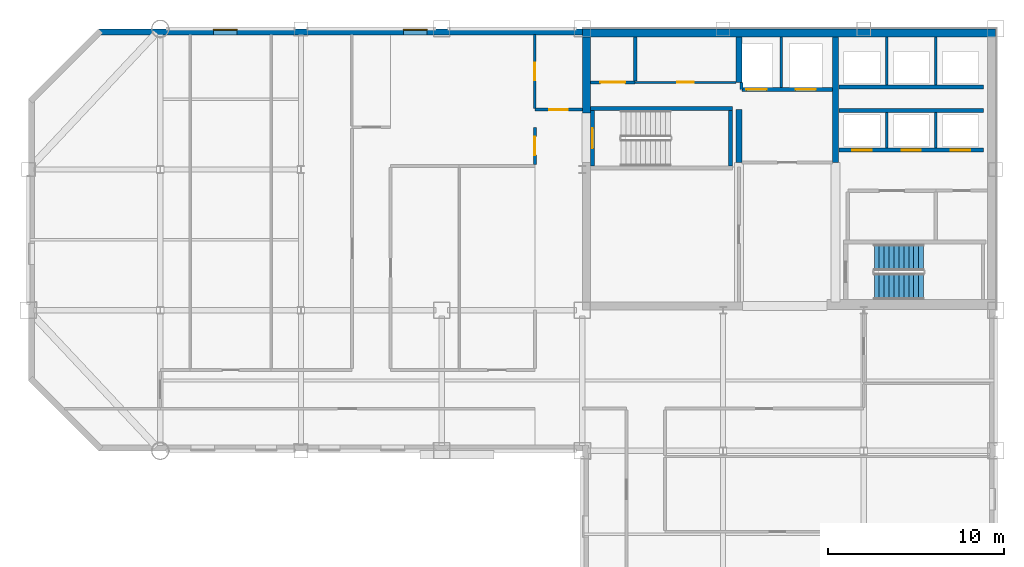
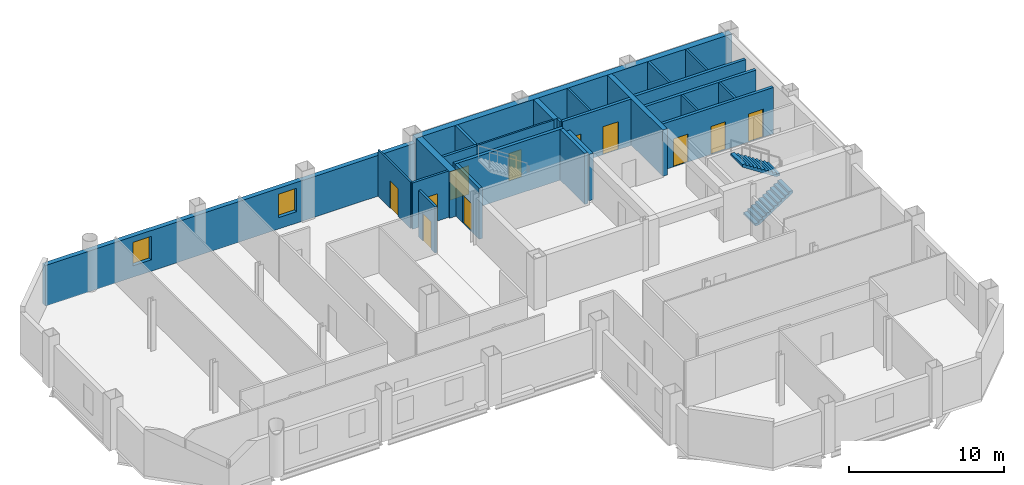
# One storey, part 6 of 11: 25 walls, 11 doors, 2 stair flights, 2 windows, 13 openings, 1 element without a shape of its own.
"""IFC4 building model written with IfcOpenShell, lengths in metres."""

from ifc_helpers import new_model, si_unit, direction, frame, frame_2d, origin, place, context, subcontext, project, spatial, polyline, rectangle, outline, extrude, material, layer, layer_set, type_object, element, fill, aggregate, save


model = new_model("IFC4")

# Units and contexts
model_context = context("Model", 3, precision=1e-05, world=origin(), true_north=direction((0.0, 1.0)))
body_context = subcontext(model_context, "Body", "Model", "MODEL_VIEW")
ifc_project = project(units=[si_unit("LENGTHUNIT", "METRE"), si_unit("AREAUNIT", "SQUARE_METRE"), si_unit("VOLUMEUNIT", "CUBIC_METRE"), si_unit("PLANEANGLEUNIT", "RADIAN"), si_unit("MASSUNIT", "GRAM", prefix="KILO")], contexts=[model_context])

# Site, building, storey
site_placement = place(None, origin())
site = spatial("IfcSite", under=ifc_project, at=site_placement, CompositionType="ELEMENT")
building_placement = place(site_placement, origin())
building = spatial("IfcBuilding", under=site, at=building_placement, Name="Qianrong Seaharbour Tower", CompositionType="ELEMENT")
storey_placement = place(building_placement, frame((0.0, 0.0, 277.800048828125)))
storey = spatial("IfcBuildingStorey", under=building, at=storey_placement, Name="L67", CompositionType="ELEMENT", Elevation=277.800048828125)

# Walls
ifc_material_1 = material(Name="Concrete C60/75", Category="concrete")
ifc_layer_1 = layer(ifc_material_1, 0.4599609375)
ifc_layer_set_1 = layer_set([ifc_layer_1], Name="Concrete C60/75")
wall_type_1 = type_object("IfcWallType", Name="WALL-CORE-460", PredefinedType="SHEAR", material=ifc_layer_set_1)
wall_1_placement = place(storey_placement, frame((40.5, 51.77001953125, 0.0), z_axis=(0.0, 0.0, 1.0), x_axis=(1.0, 0.0, 0.0)))
element("IfcWall", 1, at=wall_1_placement, inside=storey, type_object=wall_type_1, Name="L67 North Core Shear Wall", PredefinedType="SHEAR", context=body_context, shape_type="SweptSolid", body=[
    extrude(rectangle(XDim=23.5, YDim=0.4599609375, at=frame_2d((11.75, 0.0))), origin(), (0.0, 0.0, 1.0), 3.64990234375),
])
wall_2_placement = place(storey_placement, frame((40.72998046875, 47.199951171875, 0.0), z_axis=(0.0, 0.0, 1.0), x_axis=(0.0, 1.0, 0.0)))
element("IfcWall", 2, at=wall_2_placement, inside=storey, type_object=wall_type_1, Name="L67 West Core Shear Wall North", PredefinedType="SHEAR", context=body_context, shape_type="SweptSolid", body=[
    extrude(rectangle(XDim=4.340087890625, YDim=0.4599609375, at=frame_2d((2.169921875, 0.0))), origin(), (0.0, 0.0, 1.0), 3.64990234375),
])
ifc_material_2 = material(Name="Concrete C50/60", Category="concrete")
ifc_layer_2 = layer(ifc_material_2, 0.35009765625)
ifc_layer_set_2 = layer_set([ifc_layer_2], Name="Concrete C50/60")
wall_type_2 = type_object("IfcWallType", Name="WALL-CORE-INT-350", PredefinedType="SHEAR", material=ifc_layer_set_2)
wall_3_placement = place(storey_placement, frame((49.39990234375, 44.39990234375, 0.0), z_axis=(0.0, 0.0, 1.0), x_axis=(0.0, 1.0, 0.0)))
element("IfcWall", 3, at=wall_3_placement, inside=storey, type_object=wall_type_2, Name="L67 Internal Core Shear Wall IW1N1", PredefinedType="SHEAR", context=body_context, shape_type="SweptSolid", body=[
    extrude(rectangle(XDim=3.0, YDim=0.35009765625, at=frame_2d((1.5, 0.0))), origin(), (0.0, 0.0, 1.0), 3.64990234375),
])
wall_4_placement = place(storey_placement, frame((49.39990234375, 48.949951171875, 0.0), z_axis=(0.0, 0.0, 1.0), x_axis=(0.0, 1.0, 0.0)))
element("IfcWall", 4, at=wall_4_placement, inside=storey, type_object=wall_type_2, Name="L67 Internal Core Shear Wall IW1N2", PredefinedType="SHEAR", context=body_context, shape_type="SweptSolid", body=[
    extrude(rectangle(XDim=2.590087890625, YDim=0.35009765625, at=frame_2d((1.294921875, 0.0))), origin(), (0.0, 0.0, 1.0), 3.64990234375),
])
wall_5_placement = place(storey_placement, frame((54.89990234375, 44.39990234375, 0.0), z_axis=(0.0, 0.0, 1.0), x_axis=(0.0, 1.0, 0.0)))
element("IfcWall", 5, at=wall_5_placement, inside=storey, type_object=wall_type_2, Name="L67 Internal Core Shear Wall IW2N", PredefinedType="SHEAR", context=body_context, shape_type="SweptSolid", body=[
    extrude(rectangle(XDim=7.14013671875, YDim=0.35009765625, at=frame_2d((3.570068359375, 0.0))), origin(), (0.0, 0.0, 1.0), 3.64990234375),
])

# Wall, opening, door
ifc_material_3 = material(Name="Fire-rated acoustic gypsum board partition")
ifc_layer_3 = layer(ifc_material_3, 0.1650390625)
ifc_layer_set_3 = layer_set([ifc_layer_3], Name="Fire-rated acoustic gypsum board partition")
wall_type_3 = type_object("IfcWallType", Name="WALL-CORR-PART-165", PredefinedType="PARTITIONING", material=ifc_layer_set_3)
wall_6_placement = place(storey_placement, frame((37.800048828125, 47.39990234375, 0.0), z_axis=(0.0, 0.0, 1.0), x_axis=(1.0, 0.0, 0.0)))
wall_6 = element("IfcWall", 6, at=wall_6_placement, inside=storey, type_object=wall_type_3, Name="L67 Interior Partition Wall 001", PredefinedType="PARTITIONING", context=body_context, shape_type="SweptSolid", body=[
    extrude(rectangle(XDim=2.699951171875, YDim=0.1650390625, at=frame_2d((1.35009765625, 0.0))), origin(), (0.0, 0.0, 1.0), 3.64990234375),
])
opening_1_placement = place(wall_6_placement, frame((0.824951171875, 0.0, 0.0)))
opening_1 = element("IfcOpeningElement", 7, at=opening_1_placement, cuts=wall_6, Name="Opening DC-01", PredefinedType="OPENING", context=body_context, shape_type="SweptSolid", body=[
    extrude(rectangle(XDim=1.050048828125, YDim=2.14990234375, at=frame_2d((0.52490234375, 1.074951171875))), frame((0.0, 0.092529296875, 0.0), z_axis=(0.0, -1.0, 0.0), x_axis=(1.0, 0.0, 0.0)), (0.0, 0.0, 1.0), 0.18505859375),
])
ifc_material_4 = material(Name="Acoustic timber and galvanized steel fire door assembly", Category="steel")
door_type_1 = type_object("IfcDoorType", Name="DOOR-CORR-FD60-1050x2150", OperationType="NOTDEFINED", PredefinedType="DOOR", material=ifc_material_4)
door_1_placement = place(opening_1_placement, origin())
door_1 = element("IfcDoor", 8, at=door_1_placement, inside=storey, type_object=door_type_1, Name="L67 Smokeproof Stair Vestibule ST-1 Door", OperationType="SINGLE_SWING_LEFT", OverallHeight=2.14990234375, OverallWidth=1.050048828125, PredefinedType="DOOR", context=body_context, shape_type="SweptSolid", body=[
    extrude(rectangle(XDim=1.050048828125, YDim=2.14990234375, at=frame_2d((0.52490234375, 1.074951171875))), frame((0.0, 0.02490234375, 0.0), z_axis=(0.0, -1.0, 0.0), x_axis=(1.0, 0.0, 0.0)), (0.0, 0.0, 1.0), 0.050048828125),
])
fill(opening_1, door_1)

wall_7_placement = place(storey_placement, frame((37.800048828125, 44.2744140625, 0.0), z_axis=(0.0, 0.0, 1.0), x_axis=(0.0, 1.0, 0.0)))
wall_7 = element("IfcWall", 9, at=wall_7_placement, inside=storey, type_object=wall_type_3, Name="L67 Interior Partition Wall 002", PredefinedType="PARTITIONING", context=body_context, shape_type="SweptSolid", body=[
    extrude(rectangle(XDim=2.12548828125, YDim=0.1650390625, at=frame_2d((1.062744140625, 0.0))), origin(), (0.0, 0.0, 1.0), 3.64990234375),
])
opening_2_placement = place(wall_7_placement, frame((0.537841796875, 0.0, 0.0)))
opening_2 = element("IfcOpeningElement", 10, at=opening_2_placement, cuts=wall_7, Name="Opening DC-01", PredefinedType="OPENING", context=body_context, shape_type="SweptSolid", body=[
    extrude(rectangle(XDim=1.050048828125, YDim=2.14990234375, at=frame_2d((0.52490234375, 1.074951171875))), frame((0.0, 0.092529296875, 0.0), z_axis=(0.0, -1.0, 0.0), x_axis=(1.0, 0.0, 0.0)), (0.0, 0.0, 1.0), 0.18505859375),
])
door_2_placement = place(opening_2_placement, origin())
door_2 = element("IfcDoor", 11, at=door_2_placement, inside=storey, type_object=door_type_1, Name="L67 Smokeproof Stair Vestibule ST-1 Door", OperationType="SINGLE_SWING_RIGHT", OverallHeight=2.14990234375, OverallWidth=1.050048828125, PredefinedType="DOOR", context=body_context, shape_type="SweptSolid", body=[
    extrude(rectangle(XDim=1.050048828125, YDim=2.14990234375, at=frame_2d((0.52490234375, 1.074951171875))), frame((0.0, 0.02490234375, 0.0), z_axis=(0.0, -1.0, 0.0), x_axis=(1.0, 0.0, 0.0)), (0.0, 0.0, 1.0), 0.050048828125),
])
fill(opening_2, door_2)

# Wall, openings, windows
ifc_material_5 = material(Name="Unitised buff brick on Precast concrete C45/55", Category="masonry")
ifc_layer_4 = layer(ifc_material_5, 0.340087890625)
ifc_layer_set_4 = layer_set([ifc_layer_4], Name="Unitised buff brick on Precast concrete C45/55")
wall_type_4 = type_object("IfcWallType", Name="WALL-EXT-BRICK-BUFF-340", PredefinedType="SOLIDWALL", material=ifc_layer_set_4)
wall_8_placement = place(storey_placement, frame((13.0, 51.830078125, 0.0), z_axis=(0.0, 0.0, 1.0), x_axis=(1.0, 0.0, 0.0)))
wall_8 = element("IfcWall", 12, at=wall_8_placement, inside=storey, type_object=wall_type_4, Name="L67 Exterior Masonry Facade Wall NORTH_WING", PredefinedType="SOLIDWALL", context=body_context, shape_type="SweptSolid", body=[
    extrude(rectangle(XDim=27.52001953125, YDim=0.340087890625, at=frame_2d((13.760009765625, 0.0))), origin(), (0.0, 0.0, 1.0), 3.199951171875),
])
opening_3_placement = place(wall_8_placement, frame((6.52490234375, 0.0, 0.89990234375)))
opening_3 = element("IfcOpeningElement", 13, at=opening_3_placement, cuts=wall_8, Name="Opening WN-02", PredefinedType="OPENING", context=body_context, shape_type="SweptSolid", body=[
    extrude(rectangle(XDim=1.35009765625, YDim=1.85009765625, at=frame_2d((0.675048828125, 0.925048828125))), frame((0.0, 0.18017578125, 0.0), z_axis=(0.0, -1.0, 0.0), x_axis=(1.0, 0.0, 0.0)), (0.0, 0.0, 1.0), 0.360107421875),
])
opening_4_placement = place(wall_8_placement, frame((17.324951171875, 0.0, 0.89990234375)))
opening_4 = element("IfcOpeningElement", 14, at=opening_4_placement, cuts=wall_8, Name="Opening WN-02", PredefinedType="OPENING", context=body_context, shape_type="SweptSolid", body=[
    extrude(rectangle(XDim=1.35009765625, YDim=1.85009765625, at=frame_2d((0.675048828125, 0.925048828125))), frame((0.0, 0.18017578125, 0.0), z_axis=(0.0, -1.0, 0.0), x_axis=(1.0, 0.0, 0.0)), (0.0, 0.0, 1.0), 0.360107421875),
])
ifc_material_6 = material(Name="Insulated low-e double glazing in thermally broken aluminium 6063-T6 frame", Category="aluminium")
window_type = type_object("IfcWindowType", Name="WIN-PUNCH-1350x1850", PartitioningType="DOUBLE_PANEL_VERTICAL", PredefinedType="WINDOW", material=ifc_material_6)
window_1_placement = place(opening_3_placement, origin())
window_1 = element("IfcWindow", 15, at=window_1_placement, inside=storey, type_object=window_type, Name="L67 Deep-Set Punched Window 05.02", OverallHeight=1.85009765625, OverallWidth=1.35009765625, PartitioningType="DOUBLE_PANEL_VERTICAL", PredefinedType="WINDOW", context=body_context, shape_type="SweptSolid", body=[
    extrude(rectangle(XDim=1.35009765625, YDim=1.85009765625, at=frame_2d((0.675048828125, 0.925048828125))), frame((0.0, 0.150146484375, 0.0), z_axis=(0.0, -1.0, 0.0), x_axis=(1.0, 0.0, 0.0)), (0.0, 0.0, 1.0), 0.06005859375),
])
fill(opening_3, window_1)
window_2_placement = place(opening_4_placement, origin())
window_2 = element("IfcWindow", 16, at=window_2_placement, inside=storey, type_object=window_type, Name="L67 Deep-Set Punched Window 05.05", OverallHeight=1.85009765625, OverallWidth=1.35009765625, PartitioningType="DOUBLE_PANEL_VERTICAL", PredefinedType="WINDOW", context=body_context, shape_type="SweptSolid", body=[
    extrude(rectangle(XDim=1.35009765625, YDim=1.85009765625, at=frame_2d((0.675048828125, 0.925048828125))), frame((0.0, 0.150146484375, 0.0), z_axis=(0.0, -1.0, 0.0), x_axis=(1.0, 0.0, 0.0)), (0.0, 0.0, 1.0), 0.06005859375),
])
fill(opening_4, window_2)

# Wall, opening, door
ifc_material_7 = material(Name="Double fire-rated gypsum board acoustic partition")
ifc_layer_5 = layer(ifc_material_7, 0.18994140625)
ifc_layer_set_5 = layer_set([ifc_layer_5], Name="Double fire-rated gypsum board acoustic partition")
wall_type_5 = type_object("IfcWallType", Name="WALL-FIRE-PART-190", PredefinedType="PARTITIONING", material=ifc_layer_set_5)
wall_9_placement = place(storey_placement, frame((40.9599609375, 48.949951171875, 0.0), z_axis=(0.0, 0.0, 1.0), x_axis=(1.0, 0.0, 0.0)))
wall_9 = element("IfcWall", 17, at=wall_9_placement, inside=storey, type_object=wall_type_5, Name="L67 Interior Partition Wall 004", PredefinedType="PARTITIONING", context=body_context, shape_type="SweptSolid", body=[
    extrude(rectangle(XDim=2.5400390625, YDim=0.18994140625, at=frame_2d((1.27001953125, 0.0))), origin(), (0.0, 0.0, 1.0), 3.64990234375),
])
opening_5_placement = place(wall_9_placement, frame((0.570068359375, 0.0, 0.0)))
opening_5 = element("IfcOpeningElement", 18, at=opening_5_placement, cuts=wall_9, Name="Opening DP-01", PredefinedType="OPENING", context=body_context, shape_type="SweptSolid", body=[
    extrude(rectangle(XDim=1.39990234375, YDim=2.25, at=frame_2d((0.699951171875, 1.125))), frame((0.0, 0.10498046875, 0.0), z_axis=(0.0, -1.0, 0.0), x_axis=(1.0, 0.0, 0.0)), (0.0, 0.0, 1.0), 0.2099609375),
])
door_type_2 = type_object("IfcDoorType", Name="DOOR-PLANT-PAIR-1400x2250", OperationType="DOUBLE_DOOR_SINGLE_SWING", PredefinedType="DOOR", material=ifc_material_4)
door_3_placement = place(opening_5_placement, origin())
door_3 = element("IfcDoor", 19, at=door_3_placement, inside=storey, type_object=door_type_2, Name="L67 Core Electrical Closet Door", OperationType="DOUBLE_DOOR_SINGLE_SWING", OverallHeight=2.25, OverallWidth=1.39990234375, PredefinedType="DOOR", context=body_context, shape_type="SweptSolid", body=[
    extrude(rectangle(XDim=1.39990234375, YDim=2.25, at=frame_2d((0.699951171875, 1.125))), frame((0.0, 0.02490234375, 0.0), z_axis=(0.0, -1.0, 0.0), x_axis=(1.0, 0.0, 0.0)), (0.0, 0.0, 1.0), 0.050048828125),
])
fill(opening_5, door_3)

# Walls
wall_10_placement = place(storey_placement, frame((43.5, 51.5400390625, 0.0), z_axis=(0.0, 0.0, 1.0), x_axis=(0.0, -1.0, 0.0)))
element("IfcWall", 20, at=wall_10_placement, inside=storey, type_object=wall_type_5, Name="L67 Interior Partition Wall 011", PredefinedType="PARTITIONING", context=body_context, shape_type="SweptSolid", body=[
    extrude(rectangle(XDim=2.5029296875, YDim=0.18994140625, at=frame_2d((1.25146484375, 0.0))), origin(), (0.0, 0.0, 1.0), 3.64990234375),
])
ifc_material_8 = material(Name="Fire-rated gypsum board on steel studs", Category="steel")
ifc_layer_6 = layer(ifc_material_8, 0.14990234375)
ifc_layer_set_6 = layer_set([ifc_layer_6], Name="Fire-rated gypsum board on steel studs")
wall_type_6 = type_object("IfcWallType", Name="WALL-SHAFT-DIV-150", PredefinedType="PARTITIONING", material=ifc_layer_set_6)
wall_11_placement = place(storey_placement, frame((51.800048828125, 48.669921875, 0.0), z_axis=(0.0, 0.0, 1.0), x_axis=(0.0, 1.0, 0.0)))
element("IfcWall", 21, at=wall_11_placement, inside=storey, type_object=wall_type_6, Name="L67 Firefighting Lift Shaft Divider Wall", PredefinedType="PARTITIONING", context=body_context, shape_type="SweptSolid", body=[
    extrude(rectangle(XDim=2.8701171875, YDim=0.14990234375, at=frame_2d((1.43505859375, 0.0))), origin(), (0.0, 0.0, 1.0), 3.64990234375),
])
wall_12_placement = place(storey_placement, frame((49.550048828125, 48.550048828125, 0.0), z_axis=(0.0, 0.0, 1.0), x_axis=(0.0, 1.0, 0.0)))
element("IfcWall", 22, at=wall_12_placement, inside=storey, type_object=wall_type_6, Name="L67 Firefighting Lift Shaft West Return Wall", PredefinedType="PARTITIONING", context=body_context, shape_type="SweptSolid", body=[
    extrude(rectangle(XDim=0.39990234375, YDim=0.14990234375, at=frame_2d((0.199951171875, 0.0))), origin(), (0.0, 0.0, 1.0), 3.64990234375),
])
for number, where, z_axis, x_axis, name in (
    (23, (57.800048828125, 45.2099609375, 0.0), (0.0, 0.0, 1.0), (0.0, 1.0, 0.0), "L67 P3 Lift Hoistway Divider 2"),
    (24, (60.60009765625, 45.2099609375, 0.0), (0.0, 0.0, 1.0), (0.0, 1.0, 0.0), "L67 P3 Lift Hoistway Divider 3"),
):
    element("IfcWall", number, at=place(storey_placement, frame(where, z_axis=z_axis, x_axis=x_axis)), inside=storey, type_object=wall_type_6, Name=name, PredefinedType="PARTITIONING", context=body_context, shape_type="SweptSolid", body=[
        extrude(rectangle(XDim=2.030029296875, YDim=0.14990234375, at=frame_2d((1.01513671875, 0.0))), origin(), (0.0, 0.0, 1.0), 3.64990234375),
    ])
for number, where, z_axis, x_axis, name in (
    (25, (57.800048828125, 48.81005859375, 0.0), (0.0, 0.0, 1.0), (0.0, 1.0, 0.0), "L67 P4 Lift Hoistway Divider 2"),
    (26, (60.60009765625, 48.81005859375, 0.0), (0.0, 0.0, 1.0), (0.0, 1.0, 0.0), "L67 P4 Lift Hoistway Divider 3"),
):
    element("IfcWall", number, at=place(storey_placement, frame(where, z_axis=z_axis, x_axis=x_axis)), inside=storey, type_object=wall_type_6, Name=name, PredefinedType="PARTITIONING", context=body_context, shape_type="SweptSolid", body=[
        extrude(rectangle(XDim=2.72998046875, YDim=0.14990234375, at=frame_2d((1.364990234375, 0.0))), origin(), (0.0, 0.0, 1.0), 3.64990234375),
    ])

# Wall, openings, doors
ifc_layer_7 = layer(ifc_material_8, 0.219970703125)
ifc_layer_set_7 = layer_set([ifc_layer_7], Name="Fire-rated gypsum board on steel studs")
wall_type_7 = type_object("IfcWallType", Name="WALL-SHAFT-GYP220", PredefinedType="PARTITIONING", material=ifc_layer_set_7)
wall_13_placement = place(storey_placement, frame((54.7099609375, 48.550048828125, 0.0), z_axis=(0.0, 0.0, 1.0), x_axis=(-1.0, 0.0, 0.0)))
wall_13 = element("IfcWall", 27, at=wall_13_placement, inside=storey, type_object=wall_type_7, Name="L67 Firefighting Lift Shaft Front Wall", PredefinedType="PARTITIONING", context=body_context, shape_type="SweptSolid", body=[
    extrude(rectangle(XDim=5.119873046875, YDim=0.219970703125, at=frame_2d((2.56005859375, 0.0))), origin(), (0.0, 0.0, 1.0), 3.64990234375),
])
opening_6_placement = place(wall_13_placement, frame((3.735107421875, 0.0, 0.0)))
opening_6 = element("IfcOpeningElement", 28, at=opening_6_placement, cuts=wall_13, Name="Opening LD-01", PredefinedType="OPENING", context=body_context, shape_type="SweptSolid", body=[
    extrude(rectangle(XDim=1.14990234375, YDim=2.199951171875, at=frame_2d((0.574951171875, 1.10009765625))), frame((0.0, 0.1201171875, 0.0), z_axis=(0.0, -1.0, 0.0), x_axis=(1.0, 0.0, 0.0)), (0.0, 0.0, 1.0), 0.239990234375),
])
opening_7_placement = place(wall_13_placement, frame((0.93505859375, 0.0, 0.0)))
opening_7 = element("IfcOpeningElement", 29, at=opening_7_placement, cuts=wall_13, Name="Opening LD-01", PredefinedType="OPENING", context=body_context, shape_type="SweptSolid", body=[
    extrude(rectangle(XDim=1.14990234375, YDim=2.199951171875, at=frame_2d((0.574951171875, 1.10009765625))), frame((0.0, 0.1201171875, 0.0), z_axis=(0.0, -1.0, 0.0), x_axis=(1.0, 0.0, 0.0)), (0.0, 0.0, 1.0), 0.239990234375),
])
ifc_material_9 = material(Name="Stainless steel SUS316L bi-parting lift landing door", Category="steel")
door_type_3 = type_object("IfcDoorType", Name="DOOR-LIFT-FF-1150x2200", OperationType="DOUBLE_DOOR_SLIDING", PredefinedType="DOOR", material=ifc_material_9)
door_4_placement = place(opening_6_placement, origin())
door_4 = element("IfcDoor", 30, at=door_4_placement, inside=storey, type_object=door_type_3, Name="L67 FL-1 Firefighting Lift Landing Door", OperationType="DOUBLE_DOOR_SLIDING", OverallHeight=2.199951171875, OverallWidth=1.14990234375, PredefinedType="DOOR", context=body_context, shape_type="SweptSolid", body=[
    extrude(rectangle(XDim=1.14990234375, YDim=2.199951171875, at=frame_2d((0.574951171875, 1.10009765625))), frame((0.0, 0.02490234375, 0.0), z_axis=(0.0, -1.0, 0.0), x_axis=(1.0, 0.0, 0.0)), (0.0, 0.0, 1.0), 0.050048828125),
])
fill(opening_6, door_4)
door_5_placement = place(opening_7_placement, origin())
door_5 = element("IfcDoor", 31, at=door_5_placement, inside=storey, type_object=door_type_3, Name="L67 FL-2 Firefighting Lift Landing Door", OperationType="DOUBLE_DOOR_SLIDING", OverallHeight=2.199951171875, OverallWidth=1.14990234375, PredefinedType="DOOR", context=body_context, shape_type="SweptSolid", body=[
    extrude(rectangle(XDim=1.14990234375, YDim=2.199951171875, at=frame_2d((0.574951171875, 1.10009765625))), frame((0.0, 0.02490234375, 0.0), z_axis=(0.0, -1.0, 0.0), x_axis=(1.0, 0.0, 0.0)), (0.0, 0.0, 1.0), 0.050048828125),
])
fill(opening_7, door_5)

wall_14_placement = place(storey_placement, frame((63.320068359375, 45.10009765625, 0.0), z_axis=(0.0, 0.0, 1.0), x_axis=(-1.0, 0.0, 0.0)))
wall_14 = element("IfcWall", 32, at=wall_14_placement, inside=storey, type_object=wall_type_7, Name="L67 P3 Lift Hoistway Front Wall", PredefinedType="PARTITIONING", context=body_context, shape_type="SweptSolid", body=[
    extrude(rectangle(XDim=8.239990234375, YDim=0.219970703125, at=frame_2d((4.1201171875, 0.0))), origin(), (0.0, 0.0, 1.0), 3.64990234375),
])
opening_8_placement = place(wall_14_placement, frame((6.3701171875, 0.0, 0.0)))
opening_8 = element("IfcOpeningElement", 33, at=opening_8_placement, cuts=wall_14, Name="Opening LD-02", PredefinedType="OPENING", context=body_context, shape_type="SweptSolid", body=[
    extrude(rectangle(XDim=1.10009765625, YDim=2.199951171875, at=frame_2d((0.550048828125, 1.10009765625))), frame((0.0, 0.1201171875, 0.0), z_axis=(0.0, -1.0, 0.0), x_axis=(1.0, 0.0, 0.0)), (0.0, 0.0, 1.0), 0.239990234375),
])
opening_9_placement = place(wall_14_placement, frame((3.570068359375, 0.0, 0.0)))
opening_9 = element("IfcOpeningElement", 34, at=opening_9_placement, cuts=wall_14, Name="Opening LD-02", PredefinedType="OPENING", context=body_context, shape_type="SweptSolid", body=[
    extrude(rectangle(XDim=1.10009765625, YDim=2.199951171875, at=frame_2d((0.550048828125, 1.10009765625))), frame((0.0, 0.1201171875, 0.0), z_axis=(0.0, -1.0, 0.0), x_axis=(1.0, 0.0, 0.0)), (0.0, 0.0, 1.0), 0.239990234375),
])
opening_10_placement = place(wall_14_placement, frame((0.77001953125, 0.0, 0.0)))
opening_10 = element("IfcOpeningElement", 35, at=opening_10_placement, cuts=wall_14, Name="Opening LD-02", PredefinedType="OPENING", context=body_context, shape_type="SweptSolid", body=[
    extrude(rectangle(XDim=1.10009765625, YDim=2.199951171875, at=frame_2d((0.550048828125, 1.10009765625))), frame((0.0, 0.1201171875, 0.0), z_axis=(0.0, -1.0, 0.0), x_axis=(1.0, 0.0, 0.0)), (0.0, 0.0, 1.0), 0.239990234375),
])
door_type_4 = type_object("IfcDoorType", Name="DOOR-LIFT-PASS-1100x2200", OperationType="DOUBLE_DOOR_SLIDING", PredefinedType="DOOR", material=ifc_material_9)
door_6_placement = place(opening_8_placement, origin())
door_6 = element("IfcDoor", 36, at=door_6_placement, inside=storey, type_object=door_type_4, Name="L67 PL-3A Lift Landing Door", OperationType="DOUBLE_DOOR_SLIDING", OverallHeight=2.199951171875, OverallWidth=1.10009765625, PredefinedType="DOOR", context=body_context, shape_type="SweptSolid", body=[
    extrude(rectangle(XDim=1.10009765625, YDim=2.199951171875, at=frame_2d((0.550048828125, 1.10009765625))), frame((0.0, 0.02490234375, 0.0), z_axis=(0.0, -1.0, 0.0), x_axis=(1.0, 0.0, 0.0)), (0.0, 0.0, 1.0), 0.050048828125),
])
fill(opening_8, door_6)
door_7_placement = place(opening_9_placement, origin())
door_7 = element("IfcDoor", 37, at=door_7_placement, inside=storey, type_object=door_type_4, Name="L67 PL-3B Lift Landing Door", OperationType="DOUBLE_DOOR_SLIDING", OverallHeight=2.199951171875, OverallWidth=1.10009765625, PredefinedType="DOOR", context=body_context, shape_type="SweptSolid", body=[
    extrude(rectangle(XDim=1.10009765625, YDim=2.199951171875, at=frame_2d((0.550048828125, 1.10009765625))), frame((0.0, 0.02490234375, 0.0), z_axis=(0.0, -1.0, 0.0), x_axis=(1.0, 0.0, 0.0)), (0.0, 0.0, 1.0), 0.050048828125),
])
fill(opening_9, door_7)
door_8_placement = place(opening_10_placement, origin())
door_8 = element("IfcDoor", 38, at=door_8_placement, inside=storey, type_object=door_type_4, Name="L67 PL-3C Lift Landing Door", OperationType="DOUBLE_DOOR_SLIDING", OverallHeight=2.199951171875, OverallWidth=1.10009765625, PredefinedType="DOOR", context=body_context, shape_type="SweptSolid", body=[
    extrude(rectangle(XDim=1.10009765625, YDim=2.199951171875, at=frame_2d((0.550048828125, 1.10009765625))), frame((0.0, 0.02490234375, 0.0), z_axis=(0.0, -1.0, 0.0), x_axis=(1.0, 0.0, 0.0)), (0.0, 0.0, 1.0), 0.050048828125),
])
fill(opening_10, door_8)

# Walls
for number, where, z_axis, x_axis, name in (
    (39, (55.080078125, 47.35009765625, 0.0), (0.0, 0.0, 1.0), (1.0, 0.0, 0.0), "L67 P3 Lift Hoistway Back Wall"),
    (40, (63.320068359375, 48.699951171875, 0.0), (0.0, 0.0, 1.0), (-1.0, 0.0, 0.0), "L67 P4 Lift Hoistway Front Wall"),
):
    element("IfcWall", number, at=place(storey_placement, frame(where, z_axis=z_axis, x_axis=x_axis)), inside=storey, type_object=wall_type_7, Name=name, PredefinedType="PARTITIONING", context=body_context, shape_type="SweptSolid", body=[
        extrude(rectangle(XDim=8.239990234375, YDim=0.219970703125, at=frame_2d((4.1201171875, 0.0))), origin(), (0.0, 0.0, 1.0), 3.64990234375),
    ])
ifc_layer_8 = layer(ifc_material_2, 0.239990234375)
ifc_layer_set_8 = layer_set([ifc_layer_8], Name="Concrete C50/60")
wall_type_8 = type_object("IfcWallType", Name="WALL-SHAFT-RC240", PredefinedType="SOLIDWALL", material=ifc_layer_set_8)
wall_15_placement = place(storey_placement, frame((40.9599609375, 47.469970703125, 0.0), z_axis=(0.0, 0.0, 1.0), x_axis=(1.0, 0.0, 0.0)))
element("IfcWall", 41, at=wall_15_placement, inside=storey, type_object=wall_type_8, Name="L67 ST-1 Structural Stair Core Wall N", PredefinedType="SOLIDWALL", context=body_context, shape_type="SweptSolid", body=[
    extrude(rectangle(XDim=8.080078125, YDim=0.239990234375, at=frame_2d((4.0400390625, 0.0))), origin(), (0.0, 0.0, 1.0), 4.0),
])

# Wall, opening, door
wall_16_placement = place(storey_placement, frame((41.080078125, 47.35009765625, 0.0), z_axis=(0.0, 0.0, 1.0), x_axis=(0.0, -1.0, 0.0)))
wall_16 = element("IfcWall", 42, at=wall_16_placement, inside=storey, type_object=wall_type_8, Name="L67 ST-1 Structural Stair Core Wall W", PredefinedType="SOLIDWALL", context=body_context, shape_type="SweptSolid", body=[
    extrude(rectangle(XDim=3.150146484375, YDim=0.239990234375, at=frame_2d((1.5751953125, 0.0))), origin(), (0.0, 0.0, 1.0), 4.0),
])
opening_11_placement = place(wall_16_placement, frame((1.0, 0.0, 0.0)))
opening_11 = element("IfcOpeningElement", 43, at=opening_11_placement, cuts=wall_16, Name="Opening SD-01", PredefinedType="OPENING", context=body_context, shape_type="SweptSolid", body=[
    extrude(rectangle(XDim=1.14990234375, YDim=2.199951171875, at=frame_2d((0.574951171875, 1.10009765625))), frame((0.0, 0.1298828125, 0.0), z_axis=(0.0, -1.0, 0.0), x_axis=(1.0, 0.0, 0.0)), (0.0, 0.0, 1.0), 0.260009765625),
])
door_type_5 = type_object("IfcDoorType", Name="DOOR-STAIR-FD60-1150x2200", OperationType="NOTDEFINED", PredefinedType="DOOR", material=ifc_material_4)
door_9_placement = place(opening_11_placement, origin())
door_9 = element("IfcDoor", 44, at=door_9_placement, inside=storey, type_object=door_type_5, Name="L67 ST-1 Protected Stair Door", OperationType="SINGLE_SWING_RIGHT", OverallHeight=2.199951171875, OverallWidth=1.14990234375, PredefinedType="DOOR", context=body_context, shape_type="SweptSolid", body=[
    extrude(rectangle(XDim=1.14990234375, YDim=2.199951171875, at=frame_2d((0.574951171875, 1.10009765625))), frame((0.0, 0.02490234375, 0.0), z_axis=(0.0, -1.0, 0.0), x_axis=(1.0, 0.0, 0.0)), (0.0, 0.0, 1.0), 0.050048828125),
])
fill(opening_11, door_9)

# Wall
wall_17_placement = place(storey_placement, frame((48.919921875, 44.199951171875, 0.0), z_axis=(0.0, 0.0, 1.0), x_axis=(0.0, 1.0, 0.0)))
element("IfcWall", 45, at=wall_17_placement, inside=storey, type_object=wall_type_8, Name="L67 ST-1 Structural Stair Core Wall E", PredefinedType="SOLIDWALL", context=body_context, shape_type="SweptSolid", body=[
    extrude(rectangle(XDim=3.150146484375, YDim=0.239990234375, at=frame_2d((1.5751953125, 0.0))), origin(), (0.0, 0.0, 1.0), 4.0),
])

# Wall, opening, door
ifc_material_10 = material(Name="Water-resistant cement board sanitary partition")
ifc_layer_9 = layer(ifc_material_10, 0.1298828125)
ifc_layer_set_9 = layer_set([ifc_layer_9], Name="Water-resistant cement board sanitary partition")
wall_type_9 = type_object("IfcWallType", Name="WALL-WET-PART-130", PredefinedType="PARTITIONING", material=ifc_layer_set_9)
wall_18_placement = place(storey_placement, frame((37.800048828125, 47.474609375, 0.0), z_axis=(0.0, 0.0, 1.0), x_axis=(0.0, 1.0, 0.0)))
wall_18 = element("IfcWall", 46, at=wall_18_placement, inside=storey, type_object=wall_type_9, Name="L67 Interior Partition Wall 003", PredefinedType="PARTITIONING", context=body_context, shape_type="SweptSolid", body=[
    extrude(rectangle(XDim=4.193359375, YDim=0.1298828125, at=frame_2d((2.0966796875, 0.0))), origin(), (0.0, 0.0, 1.0), 3.64990234375),
])
opening_12_placement = place(wall_18_placement, frame((1.5869140625, 0.0, 0.0)))
opening_12 = element("IfcOpeningElement", 47, at=opening_12_placement, cuts=wall_18, Name="Opening DAW-01", PredefinedType="OPENING", context=body_context, shape_type="SweptSolid", body=[
    extrude(rectangle(XDim=1.02001953125, YDim=2.14990234375, at=frame_2d((0.510009765625, 1.074951171875))), frame((0.0, 0.074951171875, 0.0), z_axis=(0.0, -1.0, 0.0), x_axis=(1.0, 0.0, 0.0)), (0.0, 0.0, 1.0), 0.14990234375),
])
door_type_6 = type_object("IfcDoorType", Name="DOOR-AWC-SLIDE-1020x2150", OperationType="SLIDING_TO_LEFT", PredefinedType="DOOR", material=ifc_material_4)
door_10_placement = place(opening_12_placement, origin())
door_10 = element("IfcDoor", 48, at=door_10_placement, inside=storey, type_object=door_type_6, Name="L67 Accessible Restroom WC Door", OperationType="SLIDING_TO_LEFT", OverallHeight=2.14990234375, OverallWidth=1.02001953125, PredefinedType="DOOR", context=body_context, shape_type="SweptSolid", body=[
    extrude(rectangle(XDim=1.02001953125, YDim=2.14990234375, at=frame_2d((0.510009765625, 1.074951171875))), frame((0.0, 0.02490234375, 0.0), z_axis=(0.0, -1.0, 0.0), x_axis=(1.0, 0.0, 0.0)), (0.0, 0.0, 1.0), 0.050048828125),
])
fill(opening_12, door_10)

wall_19_placement = place(storey_placement, frame((43.5, 48.949951171875, 0.0), z_axis=(0.0, 0.0, 1.0), x_axis=(1.0, 0.0, 0.0)))
wall_19 = element("IfcWall", 49, at=wall_19_placement, inside=storey, type_object=wall_type_9, Name="L67 Interior Partition Wall 005", PredefinedType="PARTITIONING", context=body_context, shape_type="SweptSolid", body=[
    extrude(rectangle(XDim=5.73291015625, YDim=0.1298828125, at=frame_2d((2.866455078125, 0.0))), origin(), (0.0, 0.0, 1.0), 3.64990234375),
])
opening_13_placement = place(wall_19_placement, frame((2.406494140625, 0.0, 0.0)))
opening_13 = element("IfcOpeningElement", 50, at=opening_13_placement, cuts=wall_19, Name="Opening DW-01", PredefinedType="OPENING", context=body_context, shape_type="SweptSolid", body=[
    extrude(rectangle(XDim=0.919921875, YDim=2.14990234375, at=frame_2d((0.4599609375, 1.074951171875))), frame((0.0, 0.074951171875, 0.0), z_axis=(0.0, -1.0, 0.0), x_axis=(1.0, 0.0, 0.0)), (0.0, 0.0, 1.0), 0.14990234375),
])
door_type_7 = type_object("IfcDoorType", Name="DOOR-WC-920x2150", OperationType="NOTDEFINED", PredefinedType="DOOR", material=ifc_material_4)
door_11_placement = place(opening_13_placement, origin())
door_11 = element("IfcDoor", 51, at=door_11_placement, inside=storey, type_object=door_type_7, Name="L67 Staff Restroom WC Door", OperationType="SINGLE_SWING_RIGHT", OverallHeight=2.14990234375, OverallWidth=0.919921875, PredefinedType="DOOR", context=body_context, shape_type="SweptSolid", body=[
    extrude(rectangle(XDim=0.919921875, YDim=2.14990234375, at=frame_2d((0.4599609375, 1.074951171875))), frame((0.0, 0.02490234375, 0.0), z_axis=(0.0, -1.0, 0.0), x_axis=(1.0, 0.0, 0.0)), (0.0, 0.0, 1.0), 0.050048828125),
])
fill(opening_13, door_11)

# Stair, stair flights
stair_type = type_object("IfcStairType", Name="STAIR-DOGLEG-1500-R22", PredefinedType="HALF_TURN_STAIR", material=ifc_material_2)
stair_placement = place(storey_placement, origin())
stair = element("IfcStair", 52, at=stair_placement, inside=storey, type_object=stair_type, Name="L67 Protected Escape Stair ST-2", PredefinedType="HALF_TURN_STAIR")
stair_flight_type = type_object("IfcStairFlightType", Name="FLIGHT-STR-1500-R22", PredefinedType="STRAIGHT", material=ifc_material_2)
stair_flight_1_placement = place(storey_placement, frame((57.10009765625, 37.35009765625, 0.0), z_axis=(0.0, 0.0, 1.0), x_axis=(1.0, 0.0, 0.0)))
stair_flight_1 = element("IfcStairFlight", 53, at=stair_flight_1_placement, type_object=stair_flight_type, Name="ST-2 flight 1", NumberOfRisers=11, NumberOfTreads=10, PredefinedType="STRAIGHT", RiserHeight=0.181818182, TreadLength=0.28, context=body_context, shape_type="SweptSolid", body=[
    extrude(outline(polyline([(0.0, 0.0), (0.0, 0.181884765625), (0.280029296875, 0.181884765625), (0.280029296875, 0.363525390625), (0.56005859375, 0.363525390625), (0.56005859375, 0.54541015625), (0.840087890625, 0.54541015625), (0.840087890625, 0.727294921875), (1.1201171875, 0.727294921875), (1.1201171875, 0.9091796875), (1.39990234375, 0.9091796875), (1.39990234375, 1.0908203125), (1.679931640625, 1.0908203125), (1.679931640625, 1.272705078125), (1.9599609375, 1.272705078125), (1.9599609375, 1.45458984375), (2.239990234375, 1.45458984375), (2.239990234375, 1.636474609375), (2.52001953125, 1.636474609375), (2.52001953125, 1.818115234375), (2.800048828125, 1.818115234375), (2.800048828125, 2.0), (2.800048828125, 1.62744140625), (0.293701171875, 0.0), (0.0, 0.0)])), frame((0.0, 0.75, 0.0), z_axis=(0.0, -1.0, 0.0), x_axis=(1.0, 0.0, 0.0)), (0.0, 0.0, 1.0), 1.5),
])
stair_flight_2_placement = place(storey_placement, frame((59.89990234375, 39.0, 2.0), z_axis=(0.0, 0.0, 1.0), x_axis=(-1.0, 0.0, 0.0)))
stair_flight_2 = element("IfcStairFlight", 54, at=stair_flight_2_placement, type_object=stair_flight_type, Name="ST-2 flight 2", NumberOfRisers=11, NumberOfTreads=10, PredefinedType="STRAIGHT", RiserHeight=0.181818182, TreadLength=0.28, context=body_context, shape_type="SweptSolid", body=[
    extrude(outline(polyline([(0.0, 0.0), (0.0, 0.181884765625), (0.280029296875, 0.181884765625), (0.280029296875, 0.363525390625), (0.56005859375, 0.363525390625), (0.56005859375, 0.54541015625), (0.840087890625, 0.54541015625), (0.840087890625, 0.727294921875), (1.1201171875, 0.727294921875), (1.1201171875, 0.9091796875), (1.39990234375, 0.9091796875), (1.39990234375, 1.0908203125), (1.679931640625, 1.0908203125), (1.679931640625, 1.272705078125), (1.9599609375, 1.272705078125), (1.9599609375, 1.45458984375), (2.239990234375, 1.45458984375), (2.239990234375, 1.636474609375), (2.52001953125, 1.636474609375), (2.52001953125, 1.818115234375), (2.800048828125, 1.818115234375), (2.800048828125, 2.0), (2.800048828125, 1.62744140625), (0.293701171875, 0.0), (0.0, 0.0)])), frame((0.0, 0.75, 0.0), z_axis=(0.0, -1.0, 0.0), x_axis=(1.0, 0.0, 0.0)), (0.0, 0.0, 1.0), 1.5),
])
aggregate(stair, [stair_flight_1, stair_flight_2])

save(model, "model.ifc")
